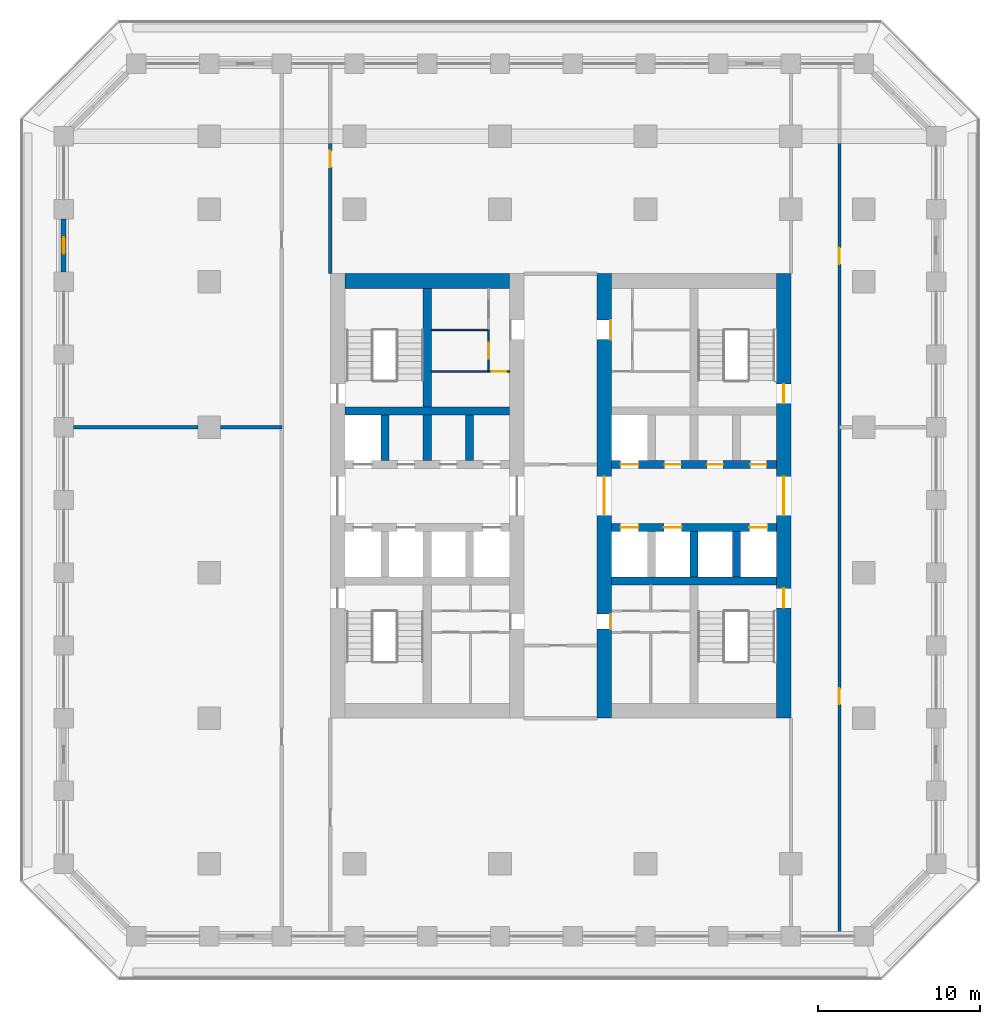
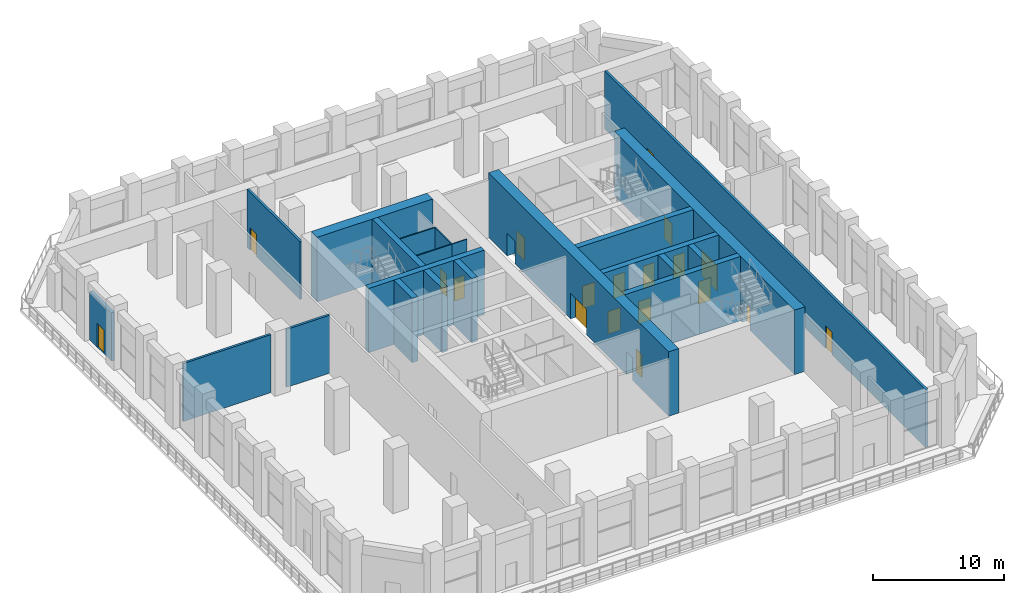
# One storey, part 14 of 24: 22 walls, 19 doors, 19 openings.
"""IFC4 building model written with IfcOpenShell, lengths in metres."""

from ifc_helpers import new_model, si_unit, direction, frame, frame_2d, origin, place, context, subcontext, project, spatial, rectangle, extrude, material, layer, layer_set, type_object, element, fill, save


model = new_model("IFC4")

# Units and contexts
model_context = context("Model", 3, precision=1e-05, world=origin(), true_north=direction((0.0, 1.0)))
body_context = subcontext(model_context, "Body", "Model", "MODEL_VIEW")
ifc_project = project(units=[si_unit("LENGTHUNIT", "METRE"), si_unit("AREAUNIT", "SQUARE_METRE"), si_unit("VOLUMEUNIT", "CUBIC_METRE"), si_unit("PLANEANGLEUNIT", "RADIAN"), si_unit("MASSUNIT", "GRAM", prefix="KILO")], contexts=[model_context])

# Site, building, storey
site_placement = place(None, origin())
site = spatial("IfcSite", under=ifc_project, at=site_placement, CompositionType="ELEMENT")
building_placement = place(site_placement, origin())
building = spatial("IfcBuilding", under=site, at=building_placement, Name="Corbel Stack Research Tower", CompositionType="ELEMENT")
storey_placement = place(building_placement, frame((0.0, 0.0, 145.39990234375)))
storey = spatial("IfcBuildingStorey", under=building, at=storey_placement, Name="L33", CompositionType="ELEMENT", Elevation=145.39990234375)

# Walls
ifc_material_1 = material(Name="Concrete C70/85", Category="concrete")
ifc_layer_1 = layer(ifc_material_1, 0.5)
ifc_layer_set_1 = layer_set([ifc_layer_1], Name="Concrete C70/85")
wall_type_1 = type_object("IfcWallType", Name="CW-500-70", PredefinedType="SHEAR", material=ifc_layer_set_1)
wall_1_placement = place(storey_placement, frame((-9.60009765625, 10.0, 0.0), z_axis=(0.0, 0.0, 1.0), x_axis=(1.0, 0.0, 0.0)))
element("IfcWall", 1, at=wall_1_placement, inside=storey, type_object=wall_type_1, Name="West core wall, north row back L33", PredefinedType="SHEAR", context=body_context, shape_type="SweptSolid", body=[
    extrude(rectangle(XDim=10.2001953125, YDim=0.5, at=frame_2d((5.10009765625, 0.0))), origin(), (0.0, 0.0, 1.0), 6.0),
])
for number, where, z_axis, x_axis, name in (
    (2, (-7.125, 6.949951171875, 0.0), (0.0, 0.0, 1.0), (0.0, 1.0, 0.0), "West core wall, north shaft 1 L33"),
    (3, (-4.5, 6.949951171875, 0.0), (0.0, 0.0, 1.0), (0.0, 1.0, 0.0), "West core wall, north shaft 2 L33"),
    (4, (-1.875, 6.949951171875, 0.0), (0.0, 0.0, 1.0), (0.0, 1.0, 0.0), "West core wall, north shaft 3 L33"),
):
    element("IfcWall", number, at=place(storey_placement, frame(where, z_axis=z_axis, x_axis=x_axis)), inside=storey, type_object=wall_type_1, Name=name, PredefinedType="SHEAR", context=body_context, shape_type="SweptSolid", body=[
        extrude(rectangle(XDim=2.800048828125, YDim=0.5, at=frame_2d((1.39990234375, 0.0))), origin(), (0.0, 0.0, 1.0), 6.0),
    ])
wall_2_placement = place(storey_placement, frame((-4.5, 10.25, 0.0), z_axis=(0.0, 0.0, 1.0), x_axis=(0.0, 1.0, 0.0)))
element("IfcWall", 5, at=wall_2_placement, inside=storey, type_object=wall_type_1, Name="West core wall, north stair and riser L33", PredefinedType="SHEAR", context=body_context, shape_type="SweptSolid", body=[
    extrude(rectangle(XDim=7.35009765625, YDim=0.5, at=frame_2d((3.675048828125, 0.0))), origin(), (0.0, 0.0, 1.0), 6.0),
])
wall_3_placement = place(storey_placement, frame((6.89990234375, -0.5, 0.0), z_axis=(0.0, 0.0, 1.0), x_axis=(1.0, 0.0, 0.0)))
element("IfcWall", 6, at=wall_3_placement, inside=storey, type_object=wall_type_1, Name="East core wall, south row back L33", PredefinedType="SHEAR", context=body_context, shape_type="SweptSolid", body=[
    extrude(rectangle(XDim=10.2001953125, YDim=0.5, at=frame_2d((5.10009765625, 0.0))), origin(), (0.0, 0.0, 1.0), 6.0),
])

# Wall, openings, doors
wall_4_placement = place(storey_placement, frame((6.89990234375, 2.800048828125, 0.0), z_axis=(0.0, 0.0, 1.0), x_axis=(1.0, 0.0, 0.0)))
wall_4 = element("IfcWall", 7, at=wall_4_placement, inside=storey, type_object=wall_type_1, Name="East core wall, lobby south L33", PredefinedType="SHEAR", context=body_context, shape_type="SweptSolid", body=[
    extrude(rectangle(XDim=10.2001953125, YDim=0.5, at=frame_2d((5.10009765625, 0.0))), origin(), (0.0, 0.0, 1.0), 6.0),
])
opening_1_placement = place(wall_4_placement, frame((0.5625, 0.0, 0.0)))
opening_1 = element("IfcOpeningElement", 8, at=opening_1_placement, cuts=wall_4, Name="Opening LD-FS2", PredefinedType="OPENING", context=body_context, shape_type="SweptSolid", body=[
    extrude(rectangle(XDim=1.10009765625, YDim=2.10009765625, at=frame_2d((0.550048828125, 1.050048828125))), frame((0.0, 0.260009765625, 0.0), z_axis=(0.0, -1.0, 0.0), x_axis=(1.0, 0.0, 0.0)), (0.0, 0.0, 1.0), 0.52001953125),
])
opening_2_placement = place(wall_4_placement, frame((3.237548828125, 0.0, 0.0)))
opening_2 = element("IfcOpeningElement", 9, at=opening_2_placement, cuts=wall_4, Name="Opening LD-GL2", PredefinedType="OPENING", context=body_context, shape_type="SweptSolid", body=[
    extrude(rectangle(XDim=1.10009765625, YDim=2.10009765625, at=frame_2d((0.550048828125, 1.050048828125))), frame((0.0, 0.260009765625, 0.0), z_axis=(0.0, -1.0, 0.0), x_axis=(1.0, 0.0, 0.0)), (0.0, 0.0, 1.0), 0.52001953125),
])
opening_3_placement = place(wall_4_placement, frame((8.53759765625, 0.0, 0.0)))
opening_3 = element("IfcOpeningElement", 10, at=opening_3_placement, cuts=wall_4, Name="Opening LD-LR3", PredefinedType="OPENING", context=body_context, shape_type="SweptSolid", body=[
    extrude(rectangle(XDim=1.10009765625, YDim=2.10009765625, at=frame_2d((0.550048828125, 1.050048828125))), frame((0.0, 0.260009765625, 0.0), z_axis=(0.0, -1.0, 0.0), x_axis=(1.0, 0.0, 0.0)), (0.0, 0.0, 1.0), 0.52001953125),
])
ifc_material_2 = material(Name="Stainless steel landing door", Category="steel")
door_type_1 = type_object("IfcDoorType", Name="Lift landing door 1100 x 2100", OperationType="DOUBLE_DOOR_SLIDING", PredefinedType="DOOR", material=ifc_material_2)
door_1_placement = place(opening_1_placement, origin())
door_1 = element("IfcDoor", 11, at=door_1_placement, inside=storey, type_object=door_type_1, Name="Landing door FS2", OperationType="DOUBLE_DOOR_SLIDING", OverallHeight=2.10009765625, OverallWidth=1.10009765625, PredefinedType="DOOR", context=body_context, shape_type="SweptSolid", body=[
    extrude(rectangle(XDim=1.10009765625, YDim=2.10009765625, at=frame_2d((0.550048828125, 1.050048828125))), frame((0.0, 0.02490234375, 0.0), z_axis=(0.0, -1.0, 0.0), x_axis=(1.0, 0.0, 0.0)), (0.0, 0.0, 1.0), 0.050048828125),
])
fill(opening_1, door_1)
door_2_placement = place(opening_2_placement, origin())
door_2 = element("IfcDoor", 12, at=door_2_placement, inside=storey, type_object=door_type_1, Name="Landing door GL2", OperationType="DOUBLE_DOOR_SLIDING", OverallHeight=2.10009765625, OverallWidth=1.10009765625, PredefinedType="DOOR", context=body_context, shape_type="SweptSolid", body=[
    extrude(rectangle(XDim=1.10009765625, YDim=2.10009765625, at=frame_2d((0.550048828125, 1.050048828125))), frame((0.0, 0.02490234375, 0.0), z_axis=(0.0, -1.0, 0.0), x_axis=(1.0, 0.0, 0.0)), (0.0, 0.0, 1.0), 0.050048828125),
])
fill(opening_2, door_2)
door_3_placement = place(opening_3_placement, origin())
door_3 = element("IfcDoor", 13, at=door_3_placement, inside=storey, type_object=door_type_1, Name="Landing door LR3", OperationType="DOUBLE_DOOR_SLIDING", OverallHeight=2.10009765625, OverallWidth=1.10009765625, PredefinedType="DOOR", context=body_context, shape_type="SweptSolid", body=[
    extrude(rectangle(XDim=1.10009765625, YDim=2.10009765625, at=frame_2d((0.550048828125, 1.050048828125))), frame((0.0, 0.02490234375, 0.0), z_axis=(0.0, -1.0, 0.0), x_axis=(1.0, 0.0, 0.0)), (0.0, 0.0, 1.0), 0.050048828125),
])
fill(opening_3, door_3)

wall_5_placement = place(storey_placement, frame((6.89990234375, 6.699951171875, 0.0), z_axis=(0.0, 0.0, 1.0), x_axis=(1.0, 0.0, 0.0)))
wall_5 = element("IfcWall", 14, at=wall_5_placement, inside=storey, type_object=wall_type_1, Name="East core wall, lobby north L33", PredefinedType="SHEAR", context=body_context, shape_type="SweptSolid", body=[
    extrude(rectangle(XDim=10.2001953125, YDim=0.5, at=frame_2d((5.10009765625, 0.0))), origin(), (0.0, 0.0, 1.0), 6.0),
])
opening_4_placement = place(wall_5_placement, frame((0.5625, 0.0, 0.0)))
opening_4 = element("IfcOpeningElement", 15, at=opening_4_placement, cuts=wall_5, Name="Opening LD-LR4", PredefinedType="OPENING", context=body_context, shape_type="SweptSolid", body=[
    extrude(rectangle(XDim=1.10009765625, YDim=2.10009765625, at=frame_2d((0.550048828125, 1.050048828125))), frame((0.0, 0.260009765625, 0.0), z_axis=(0.0, -1.0, 0.0), x_axis=(1.0, 0.0, 0.0)), (0.0, 0.0, 1.0), 0.52001953125),
])
opening_5_placement = place(wall_5_placement, frame((3.28759765625, 0.0, 0.0)))
opening_5 = element("IfcOpeningElement", 16, at=opening_5_placement, cuts=wall_5, Name="Opening CR-E54-N2", PredefinedType="OPENING", context=body_context, shape_type="SweptSolid", body=[
    extrude(rectangle(XDim=1.0, YDim=2.10009765625, at=frame_2d((0.5, 1.050048828125))), frame((0.0, 0.260009765625, 0.0), z_axis=(0.0, -1.0, 0.0), x_axis=(1.0, 0.0, 0.0)), (0.0, 0.0, 1.0), 0.52001953125),
])
opening_6_placement = place(wall_5_placement, frame((5.91259765625, 0.0, 0.0)))
opening_6 = element("IfcOpeningElement", 17, at=opening_6_placement, cuts=wall_5, Name="Opening CR-E54-N3", PredefinedType="OPENING", context=body_context, shape_type="SweptSolid", body=[
    extrude(rectangle(XDim=1.0, YDim=2.10009765625, at=frame_2d((0.5, 1.050048828125))), frame((0.0, 0.260009765625, 0.0), z_axis=(0.0, -1.0, 0.0), x_axis=(1.0, 0.0, 0.0)), (0.0, 0.0, 1.0), 0.52001953125),
])
opening_7_placement = place(wall_5_placement, frame((8.58740234375, 0.0, 0.0)))
opening_7 = element("IfcOpeningElement", 18, at=opening_7_placement, cuts=wall_5, Name="Opening CR-E54-N4", PredefinedType="OPENING", context=body_context, shape_type="SweptSolid", body=[
    extrude(rectangle(XDim=1.0, YDim=2.10009765625, at=frame_2d((0.5, 1.050048828125))), frame((0.0, 0.260009765625, 0.0), z_axis=(0.0, -1.0, 0.0), x_axis=(1.0, 0.0, 0.0)), (0.0, 0.0, 1.0), 0.52001953125),
])
door_4_placement = place(opening_4_placement, origin())
door_4 = element("IfcDoor", 19, at=door_4_placement, inside=storey, type_object=door_type_1, Name="Landing door LR4", OperationType="DOUBLE_DOOR_SLIDING", OverallHeight=2.10009765625, OverallWidth=1.10009765625, PredefinedType="DOOR", context=body_context, shape_type="SweptSolid", body=[
    extrude(rectangle(XDim=1.10009765625, YDim=2.10009765625, at=frame_2d((0.550048828125, 1.050048828125))), frame((0.0, 0.02490234375, 0.0), z_axis=(0.0, -1.0, 0.0), x_axis=(1.0, 0.0, 0.0)), (0.0, 0.0, 1.0), 0.050048828125),
])
fill(opening_4, door_4)
ifc_material_3 = material(Name="Painted steel door", Category="steel")
door_type_2 = type_object("IfcDoorType", Name="Service door 1000 x 2100 FD60 left hand", OperationType="SINGLE_SWING_LEFT", PredefinedType="DOOR", material=ifc_material_3)
door_5_placement = place(opening_6_placement, origin())
door_5 = element("IfcDoor", 20, at=door_5_placement, inside=storey, type_object=door_type_2, Name="Vending bay door E core", OperationType="SINGLE_SWING_LEFT", OverallHeight=2.10009765625, OverallWidth=1.0, PredefinedType="DOOR", context=body_context, shape_type="SweptSolid", body=[
    extrude(rectangle(XDim=1.0, YDim=2.10009765625, at=frame_2d((0.5, 1.050048828125))), frame((0.0, 0.02490234375, 0.0), z_axis=(0.0, -1.0, 0.0), x_axis=(1.0, 0.0, 0.0)), (0.0, 0.0, 1.0), 0.050048828125),
])
fill(opening_6, door_5)
ifc_material_4 = material(Name="Painted steel door", Category="steel")
door_type_3 = type_object("IfcDoorType", Name="Service door 1000 x 2100 FD60 right hand", OperationType="SINGLE_SWING_RIGHT", PredefinedType="DOOR", material=ifc_material_4)
door_6_placement = place(opening_5_placement, origin())
door_6 = element("IfcDoor", 21, at=door_6_placement, inside=storey, type_object=door_type_3, Name="Cleaner's store door E core", OperationType="SINGLE_SWING_RIGHT", OverallHeight=2.10009765625, OverallWidth=1.0, PredefinedType="DOOR", context=body_context, shape_type="SweptSolid", body=[
    extrude(rectangle(XDim=1.0, YDim=2.10009765625, at=frame_2d((0.5, 1.050048828125))), frame((0.0, 0.02490234375, 0.0), z_axis=(0.0, -1.0, 0.0), x_axis=(1.0, 0.0, 0.0)), (0.0, 0.0, 1.0), 0.050048828125),
])
fill(opening_5, door_6)
door_7_placement = place(opening_7_placement, origin())
door_7 = element("IfcDoor", 22, at=door_7_placement, inside=storey, type_object=door_type_3, Name="Mechanical room door E core", OperationType="SINGLE_SWING_RIGHT", OverallHeight=2.10009765625, OverallWidth=1.0, PredefinedType="DOOR", context=body_context, shape_type="SweptSolid", body=[
    extrude(rectangle(XDim=1.0, YDim=2.10009765625, at=frame_2d((0.5, 1.050048828125))), frame((0.0, 0.02490234375, 0.0), z_axis=(0.0, -1.0, 0.0), x_axis=(1.0, 0.0, 0.0)), (0.0, 0.0, 1.0), 0.050048828125),
])
fill(opening_7, door_7)

# Walls
for number, where, z_axis, x_axis, name in (
    (23, (12.0, -0.25, 0.0), (0.0, 0.0, 1.0), (0.0, 1.0, 0.0), "East core wall, south shaft 2 L33"),
    (24, (14.625, -0.25, 0.0), (0.0, 0.0, 1.0), (0.0, 1.0, 0.0), "East core wall, south shaft 3 L33"),
):
    element("IfcWall", number, at=place(storey_placement, frame(where, z_axis=z_axis, x_axis=x_axis)), inside=storey, type_object=wall_type_1, Name=name, PredefinedType="SHEAR", context=body_context, shape_type="SweptSolid", body=[
        extrude(rectangle(XDim=2.800048828125, YDim=0.5, at=frame_2d((1.39990234375, 0.0))), origin(), (0.0, 0.0, 1.0), 6.0),
    ])
ifc_material_5 = material(Name="Concrete C70/85", Category="concrete")
ifc_layer_2 = layer(ifc_material_5, 0.89990234375)
ifc_layer_set_2 = layer_set([ifc_layer_2], Name="Concrete C70/85")
wall_type_2 = type_object("IfcWallType", Name="CW-900-70", PredefinedType="SHEAR", material=ifc_layer_set_2)
wall_6_placement = place(storey_placement, frame((-9.60009765625, 18.050048828125, 0.0), z_axis=(0.0, 0.0, 1.0), x_axis=(1.0, 0.0, 0.0)))
element("IfcWall", 25, at=wall_6_placement, inside=storey, type_object=wall_type_2, Name="West core wall, north end L33", PredefinedType="SHEAR", context=body_context, shape_type="SweptSolid", body=[
    extrude(rectangle(XDim=10.2001953125, YDim=0.89990234375, at=frame_2d((5.10009765625, 0.0))), origin(), (0.0, 0.0, 1.0), 6.0),
])

# Wall, openings, doors
wall_7_placement = place(storey_placement, frame((6.449951171875, -9.0, 0.0), z_axis=(0.0, 0.0, 1.0), x_axis=(0.0, 1.0, 0.0)))
wall_7 = element("IfcWall", 26, at=wall_7_placement, inside=storey, type_object=wall_type_2, Name="East core wall, west face L33", PredefinedType="SHEAR", context=body_context, shape_type="SweptSolid", body=[
    extrude(rectangle(XDim=27.5, YDim=0.89990234375, at=frame_2d((13.75, 0.0))), origin(), (0.0, 0.0, 1.0), 6.0),
])
opening_8_placement = place(wall_7_placement, frame((12.550048828125, 0.0, 0.0)))
opening_8 = element("IfcOpeningElement", 27, at=opening_8_placement, cuts=wall_7, Name="Opening CD-E-W", PredefinedType="OPENING", context=body_context, shape_type="SweptSolid", body=[
    extrude(rectangle(XDim=2.39990234375, YDim=2.39990234375, at=frame_2d((1.199951171875, 1.199951171875))), frame((0.0, 0.4599609375, 0.0), z_axis=(0.0, -1.0, 0.0), x_axis=(1.0, 0.0, 0.0)), (0.0, 0.0, 1.0), 0.919921875),
])
opening_9_placement = place(wall_7_placement, frame((5.510009765625, 0.0, 0.0)))
opening_9 = element("IfcOpeningElement", 28, at=opening_9_placement, cuts=wall_7, Name="Opening CR-E54-W1-923", PredefinedType="OPENING", context=body_context, shape_type="SweptSolid", body=[
    extrude(rectangle(XDim=0.923095703125, YDim=2.10009765625, at=frame_2d((0.46142578125, 1.050048828125))), frame((0.0, 0.4599609375, 0.0), z_axis=(0.0, -1.0, 0.0), x_axis=(1.0, 0.0, 0.0)), (0.0, 0.0, 1.0), 0.919921875),
])
opening_10_placement = place(wall_7_placement, frame((23.427490234375, 0.0, 0.0)))
opening_10 = element("IfcOpeningElement", 29, at=opening_10_placement, cuts=wall_7, Name="Opening CR-E54-R2-1200", PredefinedType="OPENING", context=body_context, shape_type="SweptSolid", body=[
    extrude(rectangle(XDim=1.199951171875, YDim=2.10009765625, at=frame_2d((0.60009765625, 1.050048828125))), frame((0.0, 0.4599609375, 0.0), z_axis=(0.0, -1.0, 0.0), x_axis=(1.0, 0.0, 0.0)), (0.0, 0.0, 1.0), 0.919921875),
])
ifc_material_6 = material(Name="Painted steel fire door", Category="steel")
door_type_4 = type_object("IfcDoorType", Name="Lobby door pair 2400 x 2400 FD30S", OperationType="DOUBLE_DOOR_DOUBLE_SWING", PredefinedType="DOOR", material=ifc_material_6)
door_8_placement = place(opening_8_placement, origin())
door_8 = element("IfcDoor", 30, at=door_8_placement, inside=storey, type_object=door_type_4, Name="Lift lobby door E core W", OperationType="DOUBLE_DOOR_DOUBLE_SWING", OverallHeight=2.39990234375, OverallWidth=2.39990234375, PredefinedType="DOOR", context=body_context, shape_type="SweptSolid", body=[
    extrude(rectangle(XDim=2.39990234375, YDim=2.39990234375, at=frame_2d((1.199951171875, 1.199951171875))), frame((0.0, 0.02490234375, 0.0), z_axis=(0.0, -1.0, 0.0), x_axis=(1.0, 0.0, 0.0)), (0.0, 0.0, 1.0), 0.050048828125),
])
fill(opening_8, door_8)
ifc_material_7 = material(Name="Painted steel door", Category="steel")
door_type_5 = type_object("IfcDoorType", Name="Service door 1200 x 2100 FD30 left hand", OperationType="SINGLE_SWING_LEFT", PredefinedType="DOOR", material=ifc_material_7)
door_9_placement = place(opening_10_placement, origin())
door_9 = element("IfcDoor", 31, at=door_9_placement, inside=storey, type_object=door_type_5, Name="Service passage door E core", OperationType="SINGLE_SWING_LEFT", OverallHeight=2.10009765625, OverallWidth=1.199951171875, PredefinedType="DOOR", context=body_context, shape_type="SweptSolid", body=[
    extrude(rectangle(XDim=1.199951171875, YDim=2.10009765625, at=frame_2d((0.60009765625, 1.050048828125))), frame((0.0, -0.375, 0.0), z_axis=(0.0, -1.0, 0.0), x_axis=(1.0, 0.0, 0.0)), (0.0, 0.0, 1.0), 0.050048828125),
])
fill(opening_10, door_9)
ifc_material_8 = material(Name="Painted timber door", Category="wood")
door_type_6 = type_object("IfcDoorType", Name="WC door 923 x 2100 right hand", OperationType="SINGLE_SWING_RIGHT", PredefinedType="DOOR", material=ifc_material_8)
door_10_placement = place(opening_9_placement, origin())
door_10 = element("IfcDoor", 32, at=door_10_placement, inside=storey, type_object=door_type_6, Name="WC lobby door E core", OperationType="SINGLE_SWING_RIGHT", OverallHeight=2.10009765625, OverallWidth=0.923095703125, PredefinedType="DOOR", context=body_context, shape_type="SweptSolid", body=[
    extrude(rectangle(XDim=0.923095703125, YDim=2.10009765625, at=frame_2d((0.46142578125, 1.050048828125))), frame((0.0, -0.375, 0.0), z_axis=(0.0, -1.0, 0.0), x_axis=(1.0, 0.0, 0.0)), (0.0, 0.0, 1.0), 0.050048828125),
])
fill(opening_9, door_10)

wall_8_placement = place(storey_placement, frame((17.550048828125, -9.0, 0.0), z_axis=(0.0, 0.0, 1.0), x_axis=(0.0, 1.0, 0.0)))
wall_8 = element("IfcWall", 33, at=wall_8_placement, inside=storey, type_object=wall_type_2, Name="East core wall, east face L33", PredefinedType="SHEAR", context=body_context, shape_type="SweptSolid", body=[
    extrude(rectangle(XDim=27.5, YDim=0.89990234375, at=frame_2d((13.75, 0.0))), origin(), (0.0, 0.0, 1.0), 6.0),
])
opening_11_placement = place(wall_8_placement, frame((12.550048828125, 0.0, 0.0)))
opening_11 = element("IfcOpeningElement", 34, at=opening_11_placement, cuts=wall_8, Name="Opening CD-E-E", PredefinedType="OPENING", context=body_context, shape_type="SweptSolid", body=[
    extrude(rectangle(XDim=2.39990234375, YDim=2.39990234375, at=frame_2d((1.199951171875, 1.199951171875))), frame((0.0, 0.4599609375, 0.0), z_axis=(0.0, -1.0, 0.0), x_axis=(1.0, 0.0, 0.0)), (0.0, 0.0, 1.0), 0.919921875),
])
opening_12_placement = place(wall_8_placement, frame((6.824951171875, 0.0, 0.0)))
opening_12 = element("IfcOpeningElement", 35, at=opening_12_placement, cuts=wall_8, Name="Opening SD-ST-E1", PredefinedType="OPENING", context=body_context, shape_type="SweptSolid", body=[
    extrude(rectangle(XDim=1.199951171875, YDim=2.10009765625, at=frame_2d((0.60009765625, 1.050048828125))), frame((0.0, 0.4599609375, 0.0), z_axis=(0.0, -1.0, 0.0), x_axis=(1.0, 0.0, 0.0)), (0.0, 0.0, 1.0), 0.919921875),
])
opening_13_placement = place(wall_8_placement, frame((19.47509765625, 0.0, 0.0)))
opening_13 = element("IfcOpeningElement", 36, at=opening_13_placement, cuts=wall_8, Name="Opening SD-ST-E2", PredefinedType="OPENING", context=body_context, shape_type="SweptSolid", body=[
    extrude(rectangle(XDim=1.199951171875, YDim=2.10009765625, at=frame_2d((0.60009765625, 1.050048828125))), frame((0.0, 0.4599609375, 0.0), z_axis=(0.0, -1.0, 0.0), x_axis=(1.0, 0.0, 0.0)), (0.0, 0.0, 1.0), 0.919921875),
])
door_11_placement = place(opening_11_placement, origin())
door_11 = element("IfcDoor", 37, at=door_11_placement, inside=storey, type_object=door_type_4, Name="Lift lobby door E core E", OperationType="DOUBLE_DOOR_DOUBLE_SWING", OverallHeight=2.39990234375, OverallWidth=2.39990234375, PredefinedType="DOOR", context=body_context, shape_type="SweptSolid", body=[
    extrude(rectangle(XDim=2.39990234375, YDim=2.39990234375, at=frame_2d((1.199951171875, 1.199951171875))), frame((0.0, 0.02490234375, 0.0), z_axis=(0.0, -1.0, 0.0), x_axis=(1.0, 0.0, 0.0)), (0.0, 0.0, 1.0), 0.050048828125),
])
fill(opening_11, door_11)
ifc_material_9 = material(Name="Painted steel fire door", Category="steel")
door_type_7 = type_object("IfcDoorType", Name="Stair door 1200 x 2100 FD90 right hand", OperationType="SINGLE_SWING_RIGHT", PredefinedType="DOOR", material=ifc_material_9)
door_12_placement = place(opening_12_placement, frame((1.199951171875, 0.0, 0.0), z_axis=(0.0, 0.0, 1.0), x_axis=(-1.0, 0.0, 0.0)))
door_12 = element("IfcDoor", 38, at=door_12_placement, inside=storey, type_object=door_type_7, Name="Stair door ST-E1", OperationType="SINGLE_SWING_LEFT", OverallHeight=2.10009765625, OverallWidth=1.199951171875, PredefinedType="DOOR", context=body_context, shape_type="SweptSolid", body=[
    extrude(rectangle(XDim=1.199951171875, YDim=2.10009765625, at=frame_2d((0.60009765625, 1.050048828125))), frame((0.0, 0.02490234375, 0.0), z_axis=(0.0, -1.0, 0.0), x_axis=(1.0, 0.0, 0.0)), (0.0, 0.0, 1.0), 0.050048828125),
])
fill(opening_12, door_12)
door_13_placement = place(opening_13_placement, frame((1.199951171875, 0.0, 0.0), z_axis=(0.0, 0.0, 1.0), x_axis=(-1.0, 0.0, 0.0)))
door_13 = element("IfcDoor", 39, at=door_13_placement, inside=storey, type_object=door_type_7, Name="Stair door ST-E2", OperationType="SINGLE_SWING_LEFT", OverallHeight=2.10009765625, OverallWidth=1.199951171875, PredefinedType="DOOR", context=body_context, shape_type="SweptSolid", body=[
    extrude(rectangle(XDim=1.199951171875, YDim=2.10009765625, at=frame_2d((0.60009765625, 1.050048828125))), frame((0.0, 0.02490234375, 0.0), z_axis=(0.0, -1.0, 0.0), x_axis=(1.0, 0.0, 0.0)), (0.0, 0.0, 1.0), 0.050048828125),
])
fill(opening_13, door_13)

# Wall, opening, door
ifc_material_10 = material(Name="Gypsum board")
ifc_layer_3 = layer(ifc_material_10, 0.10009765625)
ifc_layer_set_3 = layer_set([ifc_layer_3], Name="Gypsum board")
wall_type_3 = type_object("IfcWallType", Name="Core partition 100", PredefinedType="PARTITIONING", material=ifc_layer_set_3)
wall_9_placement = place(storey_placement, frame((-0.699951171875, 12.455078125, 0.0), z_axis=(0.0, 0.0, 1.0), x_axis=(1.0, 0.0, 0.0)))
wall_9 = element("IfcWall", 40, at=wall_9_placement, inside=storey, type_object=wall_type_3, Name="Core partition W", PredefinedType="PARTITIONING", context=body_context, shape_type="SweptSolid", body=[
    extrude(rectangle(XDim=1.300048828125, YDim=0.10009765625, at=frame_2d((0.64990234375, 0.0))), origin(), (0.0, 0.0, 1.0), 5.400146484375),
])
opening_14_placement = place(wall_9_placement, frame((0.199951171875, 0.0, 0.0)))
opening_14 = element("IfcOpeningElement", 41, at=opening_14_placement, cuts=wall_9, Name="Opening CR-W54-R1-900", PredefinedType="OPENING", context=body_context, shape_type="SweptSolid", body=[
    extrude(rectangle(XDim=0.89990234375, YDim=2.10009765625, at=frame_2d((0.449951171875, 1.050048828125))), frame((0.0, 0.06005859375, 0.0), z_axis=(0.0, -1.0, 0.0), x_axis=(1.0, 0.0, 0.0)), (0.0, 0.0, 1.0), 0.1201171875),
])
ifc_material_11 = material(Name="Painted steel door", Category="steel")
door_type_8 = type_object("IfcDoorType", Name="Riser door 900 x 2100 FD60 left hand", OperationType="SINGLE_SWING_LEFT", PredefinedType="DOOR", material=ifc_material_11)
door_14_placement = place(opening_14_placement, origin())
door_14 = element("IfcDoor", 42, at=door_14_placement, inside=storey, type_object=door_type_8, Name="Electrical riser door W core", OperationType="SINGLE_SWING_LEFT", OverallHeight=2.10009765625, OverallWidth=0.89990234375, PredefinedType="DOOR", context=body_context, shape_type="SweptSolid", body=[
    extrude(rectangle(XDim=0.89990234375, YDim=2.10009765625, at=frame_2d((0.449951171875, 1.050048828125))), frame((0.0, 0.02490234375, 0.0), z_axis=(0.0, -1.0, 0.0), x_axis=(1.0, 0.0, 0.0)), (0.0, 0.0, 1.0), 0.050048828125),
])
fill(opening_14, door_14)

# Wall
wall_10_placement = place(storey_placement, frame((-4.25, 12.455078125, 0.0), z_axis=(0.0, 0.0, 1.0), x_axis=(1.0, 0.0, 0.0)))
element("IfcWall", 43, at=wall_10_placement, inside=storey, type_object=wall_type_3, Name="Core partition W", PredefinedType="PARTITIONING", context=body_context, shape_type="SweptSolid", body=[
    extrude(rectangle(XDim=3.550048828125, YDim=0.10009765625, at=frame_2d((1.77490234375, 0.0))), origin(), (0.0, 0.0, 1.0), 5.400146484375),
])

# Wall, opening, door
wall_11_placement = place(storey_placement, frame((-0.699951171875, 12.455078125, 0.0), z_axis=(0.0, 0.0, 1.0), x_axis=(0.0, 1.0, 0.0)))
wall_11 = element("IfcWall", 44, at=wall_11_placement, inside=storey, type_object=wall_type_3, Name="Core partition W", PredefinedType="PARTITIONING", context=body_context, shape_type="SweptSolid", body=[
    extrude(rectangle(XDim=2.572509765625, YDim=0.10009765625, at=frame_2d((1.2861328125, 0.0))), origin(), (0.0, 0.0, 1.0), 5.400146484375),
])
opening_15_placement = place(wall_11_placement, frame((0.786376953125, 0.0, 0.0)))
opening_15 = element("IfcOpeningElement", 45, at=opening_15_placement, cuts=wall_11, Name="Opening CR-W54-R3-1000", PredefinedType="OPENING", context=body_context, shape_type="SweptSolid", body=[
    extrude(rectangle(XDim=1.0, YDim=2.10009765625, at=frame_2d((0.5, 1.050048828125))), frame((0.0, 0.06005859375, 0.0), z_axis=(0.0, -1.0, 0.0), x_axis=(1.0, 0.0, 0.0)), (0.0, 0.0, 1.0), 0.1201171875),
])
ifc_material_12 = material(Name="Painted steel door", Category="steel")
door_type_9 = type_object("IfcDoorType", Name="Service door 1000 x 2100 FD30 left hand", OperationType="SINGLE_SWING_LEFT", PredefinedType="DOOR", material=ifc_material_12)
door_15_placement = place(opening_15_placement, origin())
door_15 = element("IfcDoor", 46, at=door_15_placement, inside=storey, type_object=door_type_9, Name="Pantry door W core", OperationType="SINGLE_SWING_LEFT", OverallHeight=2.10009765625, OverallWidth=1.0, PredefinedType="DOOR", context=body_context, shape_type="SweptSolid", body=[
    extrude(rectangle(XDim=1.0, YDim=2.10009765625, at=frame_2d((0.5, 1.050048828125))), frame((0.0, 0.02490234375, 0.0), z_axis=(0.0, -1.0, 0.0), x_axis=(1.0, 0.0, 0.0)), (0.0, 0.0, 1.0), 0.050048828125),
])
fill(opening_15, door_15)

# Wall
wall_12_placement = place(storey_placement, frame((-4.25, 15.027587890625, 0.0), z_axis=(0.0, 0.0, 1.0), x_axis=(1.0, 0.0, 0.0)))
element("IfcWall", 47, at=wall_12_placement, inside=storey, type_object=wall_type_3, Name="Core partition W", PredefinedType="PARTITIONING", context=body_context, shape_type="SweptSolid", body=[
    extrude(rectangle(XDim=3.550048828125, YDim=0.10009765625, at=frame_2d((1.77490234375, 0.0))), origin(), (0.0, 0.0, 1.0), 5.400146484375),
])

# Wall, opening, door
ifc_material_13 = material(Name="Fire-rated gypsum board partition on steel studs", Category="steel")
ifc_layer_4 = layer(ifc_material_13, 0.199951171875)
ifc_layer_set_4 = layer_set([ifc_layer_4], Name="Fire-rated gypsum board partition on steel studs")
wall_type_4 = type_object("IfcWallType", Name="Fire-rated partition 200 EI 60", PredefinedType="PARTITIONING", material=ifc_layer_set_4)
wall_13_placement = place(storey_placement, frame((-10.5, 26.550048828125, 0.0), z_axis=(0.0, 0.0, 1.0), x_axis=(0.0, -1.0, 0.0)))
wall_13 = element("IfcWall", 48, at=wall_13_placement, inside=storey, type_object=wall_type_4, Name="Partition L33-005", PredefinedType="PARTITIONING", context=body_context, shape_type="SweptSolid", body=[
    extrude(rectangle(XDim=8.050048828125, YDim=0.199951171875, at=frame_2d((4.02490234375, 0.0))), origin(), (0.0, 0.0, 1.0), 5.400146484375),
])
opening_16_placement = place(wall_13_placement, frame((0.449951171875, 0.0, 0.0)))
opening_16 = element("IfcOpeningElement", 49, at=opening_16_placement, cuts=wall_13, Name="Opening B4AM-004", PredefinedType="OPENING", context=body_context, shape_type="SweptSolid", body=[
    extrude(rectangle(XDim=1.0, YDim=2.10009765625, at=frame_2d((0.5, 1.050048828125))), frame((0.0, 0.10986328125, 0.0), z_axis=(0.0, -1.0, 0.0), x_axis=(1.0, 0.0, 0.0)), (0.0, 0.0, 1.0), 0.219970703125),
])
ifc_material_14 = material(Name="Painted steel fire door", Category="steel")
door_type_10 = type_object("IfcDoorType", Name="Fire door FD30S 1000 x 2100", OperationType="NOTDEFINED", PredefinedType="DOOR", material=ifc_material_14)
door_16_placement = place(opening_16_placement, origin())
door_16 = element("IfcDoor", 50, at=door_16_placement, inside=storey, type_object=door_type_10, Name="Door B4AM-004", OperationType="SINGLE_SWING_LEFT", OverallHeight=2.10009765625, OverallWidth=1.0, PredefinedType="DOOR", context=body_context, shape_type="SweptSolid", body=[
    extrude(rectangle(XDim=1.0, YDim=2.10009765625, at=frame_2d((0.5, 1.050048828125))), frame((0.0, 0.02490234375, 0.0), z_axis=(0.0, -1.0, 0.0), x_axis=(1.0, 0.0, 0.0)), (0.0, 0.0, 1.0), 0.050048828125),
])
fill(opening_16, door_16)

# Wall, openings, doors
wall_14_placement = place(storey_placement, frame((21.0, 26.550048828125, 0.0), z_axis=(0.0, 0.0, 1.0), x_axis=(0.0, -1.0, 0.0)))
wall_14 = element("IfcWall", 51, at=wall_14_placement, inside=storey, type_object=wall_type_4, Name="Partition L33-013", PredefinedType="PARTITIONING", context=body_context, shape_type="SweptSolid", body=[
    extrude(rectangle(XDim=48.969970703125, YDim=0.199951171875, at=frame_2d((24.48486328125, 0.0))), origin(), (0.0, 0.0, 1.0), 5.400146484375),
])
opening_17_placement = place(wall_14_placement, frame((33.699951171875, 0.0, 0.0)))
opening_17 = element("IfcOpeningElement", 52, at=opening_17_placement, cuts=wall_14, Name="Opening B4AM-007", PredefinedType="OPENING", context=body_context, shape_type="SweptSolid", body=[
    extrude(rectangle(XDim=1.0, YDim=2.10009765625, at=frame_2d((0.5, 1.050048828125))), frame((0.0, 0.10986328125, 0.0), z_axis=(0.0, -1.0, 0.0), x_axis=(1.0, 0.0, 0.0)), (0.0, 0.0, 1.0), 0.219970703125),
])
opening_18_placement = place(wall_14_placement, frame((6.449951171875, 0.0, 0.0)))
opening_18 = element("IfcOpeningElement", 53, at=opening_18_placement, cuts=wall_14, Name="Opening B4AM-008", PredefinedType="OPENING", context=body_context, shape_type="SweptSolid", body=[
    extrude(rectangle(XDim=1.0, YDim=2.10009765625, at=frame_2d((0.5, 1.050048828125))), frame((0.0, 0.10986328125, 0.0), z_axis=(0.0, -1.0, 0.0), x_axis=(1.0, 0.0, 0.0)), (0.0, 0.0, 1.0), 0.219970703125),
])
door_17_placement = place(opening_17_placement, origin())
door_17 = element("IfcDoor", 54, at=door_17_placement, inside=storey, type_object=door_type_10, Name="Door B4AM-007", OperationType="SINGLE_SWING_RIGHT", OverallHeight=2.10009765625, OverallWidth=1.0, PredefinedType="DOOR", context=body_context, shape_type="SweptSolid", body=[
    extrude(rectangle(XDim=1.0, YDim=2.10009765625, at=frame_2d((0.5, 1.050048828125))), frame((0.0, 0.02490234375, 0.0), z_axis=(0.0, -1.0, 0.0), x_axis=(1.0, 0.0, 0.0)), (0.0, 0.0, 1.0), 0.050048828125),
])
fill(opening_17, door_17)
door_18_placement = place(opening_18_placement, origin())
door_18 = element("IfcDoor", 55, at=door_18_placement, inside=storey, type_object=door_type_10, Name="Door B4AM-008", OperationType="SINGLE_SWING_LEFT", OverallHeight=2.10009765625, OverallWidth=1.0, PredefinedType="DOOR", context=body_context, shape_type="SweptSolid", body=[
    extrude(rectangle(XDim=1.0, YDim=2.10009765625, at=frame_2d((0.5, 1.050048828125))), frame((0.0, 0.02490234375, 0.0), z_axis=(0.0, -1.0, 0.0), x_axis=(1.0, 0.0, 0.0)), (0.0, 0.0, 1.0), 0.050048828125),
])
fill(opening_18, door_18)

# Walls
wall_15_placement = place(storey_placement, frame((-26.39990234375, 9.0, 0.0), z_axis=(0.0, 0.0, 1.0), x_axis=(1.0, 0.0, 0.0)))
element("IfcWall", 56, at=wall_15_placement, inside=storey, type_object=wall_type_4, Name="Partition L33-019", PredefinedType="PARTITIONING", context=body_context, shape_type="SweptSolid", body=[
    extrude(rectangle(XDim=7.699951171875, YDim=0.199951171875, at=frame_2d((3.85009765625, 0.0))), origin(), (0.0, 0.0, 1.0), 5.400146484375),
])
wall_16_placement = place(storey_placement, frame((-17.300048828125, 9.0, 0.0), z_axis=(0.0, 0.0, 1.0), x_axis=(1.0, 0.0, 0.0)))
element("IfcWall", 57, at=wall_16_placement, inside=storey, type_object=wall_type_4, Name="Partition L33-020", PredefinedType="PARTITIONING", context=body_context, shape_type="SweptSolid", body=[
    extrude(rectangle(XDim=3.800048828125, YDim=0.199951171875, at=frame_2d((1.89990234375, 0.0))), origin(), (0.0, 0.0, 1.0), 5.400146484375),
])

# Wall, opening, door
ifc_material_15 = material(Name="Concrete C45/55", Category="concrete")
ifc_layer_5 = layer(ifc_material_15, 0.300048828125)
ifc_layer_set_5 = layer_set([ifc_layer_5], Name="Concrete C45/55")
wall_type_5 = type_object("IfcWallType", Name="Terracotta-faced concrete wall 300", PredefinedType="SOLIDWALL", material=ifc_layer_set_5)
wall_17_placement = place(storey_placement, frame((-27.0, 18.60009765625, 0.0), z_axis=(0.0, 0.0, 1.0), x_axis=(0.0, 1.0, 0.0)))
wall_17 = element("IfcWall", 58, at=wall_17_placement, inside=storey, type_object=wall_type_5, Name="Facade wall L33 W02", PredefinedType="SOLIDWALL", context=body_context, shape_type="SweptSolid", body=[
    extrude(rectangle(XDim=3.2998046875, YDim=0.300048828125, at=frame_2d((1.64990234375, 0.0))), origin(), (0.0, 0.0, 1.0), 4.5),
])
opening_19_placement = place(wall_17_placement, frame((1.14990234375, 0.0, 0.0)))
opening_19 = element("IfcOpeningElement", 59, at=opening_19_placement, cuts=wall_17, Name="Opening L33-B10", PredefinedType="OPENING", context=body_context, shape_type="SweptSolid", body=[
    extrude(rectangle(XDim=1.0, YDim=2.199951171875, at=frame_2d((0.5, 1.10009765625))), frame((0.0, 0.159912109375, 0.0), z_axis=(0.0, -1.0, 0.0), x_axis=(1.0, 0.0, 0.0)), (0.0, 0.0, 1.0), 0.320068359375),
])
ifc_material_16 = material(Name="Aluminium frame, clear double glazing", Category="aluminium")
door_type_11 = type_object("IfcDoorType", Name="Balcony door BD1 1000 x 2200", OperationType="NOTDEFINED", PredefinedType="DOOR", material=ifc_material_16)
door_19_placement = place(opening_19_placement, origin())
door_19 = element("IfcDoor", 60, at=door_19_placement, inside=storey, type_object=door_type_11, Name="Balcony door L33-B10", OperationType="SINGLE_SWING_LEFT", OverallHeight=2.199951171875, OverallWidth=1.0, PredefinedType="DOOR", context=body_context, shape_type="SweptSolid", body=[
    extrude(rectangle(XDim=1.0, YDim=2.199951171875, at=frame_2d((0.5, 1.10009765625))), frame((0.0, 0.02490234375, 0.0), z_axis=(0.0, -1.0, 0.0), x_axis=(1.0, 0.0, 0.0)), (0.0, 0.0, 1.0), 0.050048828125),
])
fill(opening_19, door_19)

save(model, "model.ifc")
